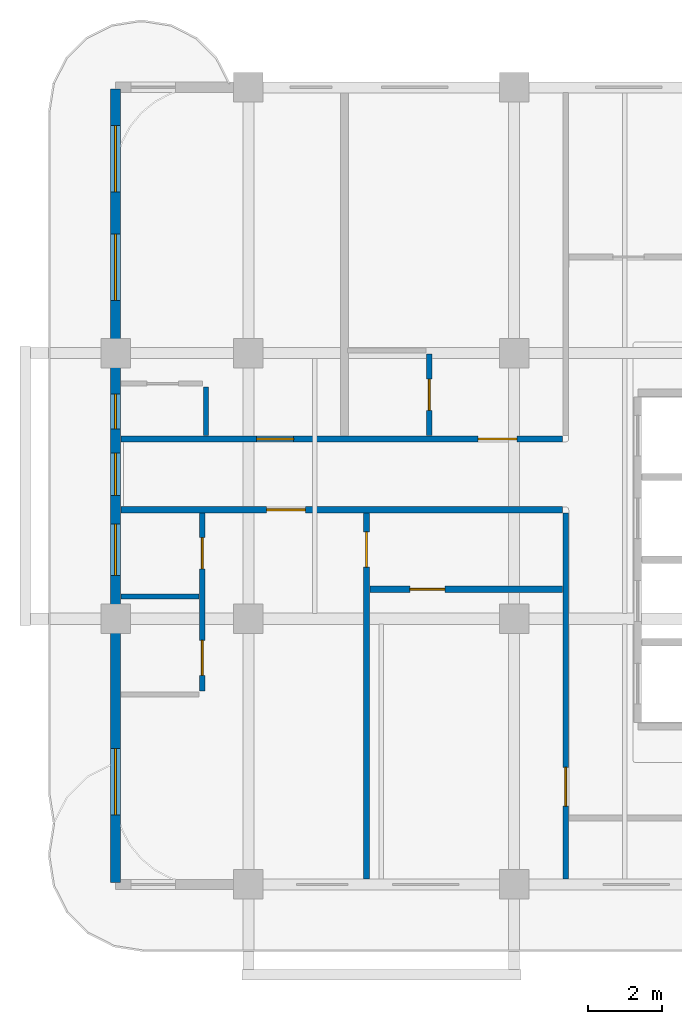
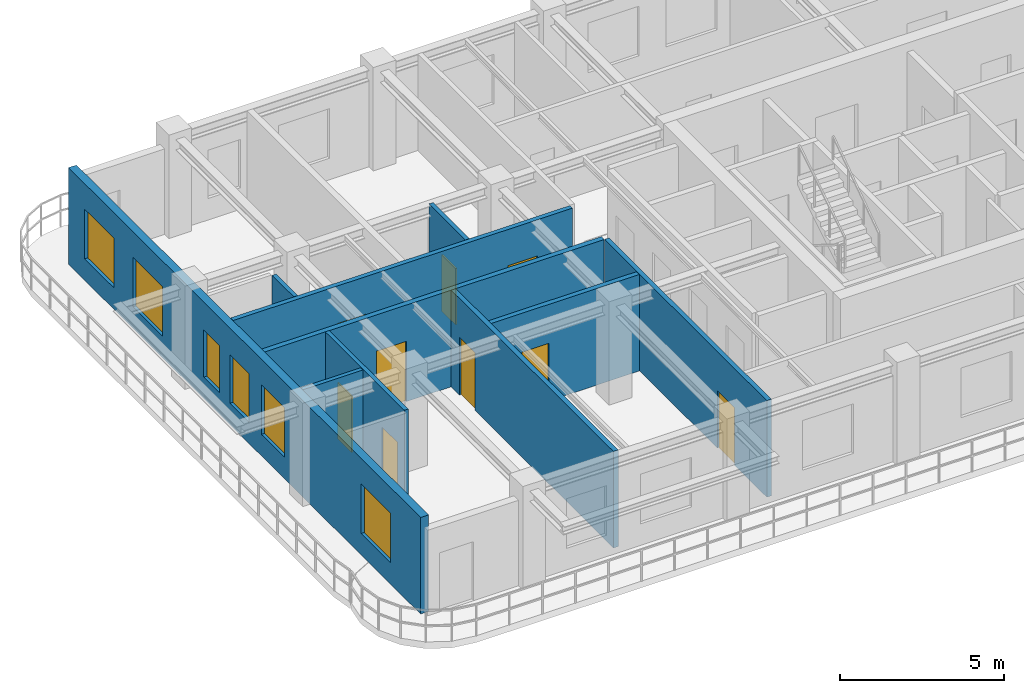
# One storey, part 2 of 7: 10 walls, 9 doors, 6 windows, 15 openings.
"""IFC4 building model written with IfcOpenShell, lengths in metres."""

from ifc_helpers import new_model, si_unit, derived_unit, direction, frame, frame_2d, origin, place, context, subcontext, project, spatial, rectangle, extrude, source, transform, mapped, material, layer, layer_set, type_object, type_shapes, element, fill, save


model = new_model("IFC4")

# Units and contexts
model_context = context("Model", 3, precision=1e-05, world=origin(), true_north=direction((0.0, 1.0)))
body_context = subcontext(model_context, "Body", "Model", "MODEL_VIEW")
ifc_project = project(units=[si_unit("LENGTHUNIT", "METRE"), si_unit("AREAUNIT", "SQUARE_METRE"), si_unit("VOLUMEUNIT", "CUBIC_METRE"), si_unit("PLANEANGLEUNIT", "RADIAN"), si_unit("MASSUNIT", "GRAM", prefix="KILO"), si_unit("THERMODYNAMICTEMPERATUREUNIT", "KELVIN"), si_unit("POWERUNIT", "WATT"), derived_unit("THERMALTRANSMITTANCEUNIT", [(si_unit("POWERUNIT", "WATT"), 1), (si_unit("AREAUNIT", "SQUARE_METRE"), -1), (si_unit("THERMODYNAMICTEMPERATUREUNIT", "KELVIN"), -1)])], contexts=[model_context])

# Site, building, storey
site_placement = place(None, origin())
site = spatial("IfcSite", under=ifc_project, at=site_placement, CompositionType="ELEMENT")
building_placement = place(site_placement, origin())
building = spatial("IfcBuilding", under=site, at=building_placement, Name="Zahravan Archway Hotel and Residences", CompositionType="ELEMENT")
storey_placement = place(building_placement, frame((0.0, 0.0, 259.64990234375)))
storey = spatial("IfcBuildingStorey", under=building, at=storey_placement, Name="L65", CompositionType="ELEMENT", Elevation=259.64990234375)

# Wall, openings, windows
ifc_material_1 = material(Name="Honed Red-Ochre Sandstone & Insulated Block", Category="masonry")
ifc_layer_1 = layer(ifc_material_1, 0.280029296875, Name="Honed Red-Ochre Sandstone & Insulated Block", Category="masonry")
ifc_layer_set_1 = layer_set([ifc_layer_1], Name="Honed Red-Ochre Sandstone & Insulated Block")
wall_type_1 = type_object("IfcWallType", Name="EW-LOG-280", PredefinedType="SOLIDWALL", material=ifc_layer_set_1)
wall_1_placement = place(storey_placement, frame((18.0, 0.050048828125, 0.0), z_axis=(0.0, 0.0, 1.0), x_axis=(0.0, 1.0, 0.0)))
wall_1 = element("IfcWall", 1, at=wall_1_placement, inside=storey, type_object=wall_type_1, Name="L65 Exterior Sandstone Wall WA-W", PredefinedType="SOLIDWALL", context=body_context, shape_type="SweptSolid", body=[
    extrude(rectangle(XDim=21.5, YDim=0.280029296875, at=frame_2d((10.75, 0.0))), origin(), (0.0, 0.0, 1.0), 3.60009765625),
])
opening_1_placement = place(wall_1_placement, frame((1.8310546875, 0.0, 0.800048828125)))
opening_1 = element("IfcOpeningElement", 2, at=opening_1_placement, cuts=wall_1, Name="Opening W-02", PredefinedType="OPENING", context=body_context, shape_type="SweptSolid", body=[
    extrude(rectangle(XDim=1.800048828125, YDim=1.85009765625, at=frame_2d((0.89990234375, 0.925048828125))), frame((0.0, 0.14990234375, 0.0), z_axis=(0.0, -1.0, 0.0), x_axis=(1.0, 0.0, 0.0)), (0.0, 0.0, 1.0), 0.300048828125),
])
opening_2_placement = place(wall_1_placement, frame((8.321044921875, 0.0, 0.800048828125)))
opening_2 = element("IfcOpeningElement", 3, at=opening_2_placement, cuts=wall_1, Name="Opening W-03", PredefinedType="OPENING", context=body_context, shape_type="SweptSolid", body=[
    extrude(rectangle(XDim=1.39990234375, YDim=1.85009765625, at=frame_2d((0.699951171875, 0.925048828125))), frame((0.0, 0.14990234375, 0.0), z_axis=(0.0, -1.0, 0.0), x_axis=(1.0, 0.0, 0.0)), (0.0, 0.0, 1.0), 0.300048828125),
])
opening_3_placement = place(wall_1_placement, frame((10.485107421875, 0.0, 0.800048828125)))
opening_3 = element("IfcOpeningElement", 4, at=opening_3_placement, cuts=wall_1, Name="Opening W-05", PredefinedType="OPENING", context=body_context, shape_type="SweptSolid", body=[
    extrude(rectangle(XDim=1.14990234375, YDim=1.800048828125, at=frame_2d((0.574951171875, 0.89990234375))), frame((0.0, 0.14990234375, 0.0), z_axis=(0.0, -1.0, 0.0), x_axis=(1.0, 0.0, 0.0)), (0.0, 0.0, 1.0), 0.300048828125),
])
opening_4_placement = place(wall_1_placement, frame((12.294921875, 0.0, 0.800048828125)))
opening_4 = element("IfcOpeningElement", 5, at=opening_4_placement, cuts=wall_1, Name="Opening W-04", PredefinedType="OPENING", context=body_context, shape_type="SweptSolid", body=[
    extrude(rectangle(XDim=0.949951171875, YDim=1.75, at=frame_2d((0.47509765625, 0.875))), frame((0.0, 0.14990234375, 0.0), z_axis=(0.0, -1.0, 0.0), x_axis=(1.0, 0.0, 0.0)), (0.0, 0.0, 1.0), 0.300048828125),
])
opening_5_placement = place(wall_1_placement, frame((15.77001953125, 0.0, 0.800048828125)))
opening_5 = element("IfcOpeningElement", 6, at=opening_5_placement, cuts=wall_1, Name="Opening W-02", PredefinedType="OPENING", context=body_context, shape_type="SweptSolid", body=[
    extrude(rectangle(XDim=1.800048828125, YDim=1.85009765625, at=frame_2d((0.89990234375, 0.925048828125))), frame((0.0, 0.14990234375, 0.0), z_axis=(0.0, -1.0, 0.0), x_axis=(1.0, 0.0, 0.0)), (0.0, 0.0, 1.0), 0.300048828125),
])
opening_6_placement = place(wall_1_placement, frame((18.7099609375, 0.0, 0.800048828125)))
opening_6 = element("IfcOpeningElement", 7, at=opening_6_placement, cuts=wall_1, Name="Opening W-02", PredefinedType="OPENING", context=body_context, shape_type="SweptSolid", body=[
    extrude(rectangle(XDim=1.800048828125, YDim=1.85009765625, at=frame_2d((0.89990234375, 0.925048828125))), frame((0.0, 0.14990234375, 0.0), z_axis=(0.0, -1.0, 0.0), x_axis=(1.0, 0.0, 0.0)), (0.0, 0.0, 1.0), 0.300048828125),
])
ifc_material_2 = material(Name="Bronze-Anodized Thermal-Break Aluminium & Low-E Glass", Category="aluminium")
window_type_1 = type_object("IfcWindowType", Name="WIN-TWR-1400", PartitioningType="SINGLE_PANEL", PredefinedType="WINDOW", material=ifc_material_2)
shared_shape_1 = source(origin(), body_context, "Body", "SweptSolid", [
    extrude(rectangle(XDim=1.39990234375, YDim=1.85009765625, at=frame_2d((0.699951171875, 0.925048828125))), frame((0.0, 0.030029296875, 0.0), z_axis=(0.0, -1.0, 0.0), x_axis=(1.0, 0.0, 0.0)), (0.0, 0.0, 1.0), 0.06005859375),
])
type_shapes(window_type_1, [shared_shape_1])
window_1_placement = place(opening_2_placement, origin())
window_1 = element("IfcWindow", 8, at=window_1_placement, inside=storey, type_object=window_type_1, Name="L65 Loggia Window 17", OverallHeight=1.85009765625, OverallWidth=1.39990234375, PartitioningType="SINGLE_PANEL", PredefinedType="WINDOW", context=body_context, shape_type="MappedRepresentation", body=[
    mapped(shared_shape_1, transform((0.0, 0.0, 0.0), scale=1.0)),
])
fill(opening_2, window_1)
window_type_2 = type_object("IfcWindowType", Name="WIN-NAR-950", PartitioningType="SINGLE_PANEL", PredefinedType="WINDOW", material=ifc_material_2)
shared_shape_2 = source(origin(), body_context, "Body", "SweptSolid", [
    extrude(rectangle(XDim=0.949951171875, YDim=1.75, at=frame_2d((0.47509765625, 0.875))), frame((0.0, 0.030029296875, 0.0), z_axis=(0.0, -1.0, 0.0), x_axis=(1.0, 0.0, 0.0)), (0.0, 0.0, 1.0), 0.06005859375),
])
type_shapes(window_type_2, [shared_shape_2])
window_2_placement = place(opening_4_placement, origin())
window_2 = element("IfcWindow", 9, at=window_2_placement, inside=storey, type_object=window_type_2, Name="L65 Loggia Window 19", OverallHeight=1.75, OverallWidth=0.949951171875, PartitioningType="SINGLE_PANEL", PredefinedType="WINDOW", context=body_context, shape_type="MappedRepresentation", body=[
    mapped(shared_shape_2, transform((0.0, 0.0, 0.0), scale=1.0)),
])
fill(opening_4, window_2)
window_type_3 = type_object("IfcWindowType", Name="WIN-TWR-1800", PartitioningType="DOUBLE_PANEL_VERTICAL", PredefinedType="WINDOW", material=ifc_material_2)
shared_shape_3 = source(origin(), body_context, "Body", "SweptSolid", [
    extrude(rectangle(XDim=1.800048828125, YDim=1.85009765625, at=frame_2d((0.89990234375, 0.925048828125))), frame((0.0, 0.030029296875, 0.0), z_axis=(0.0, -1.0, 0.0), x_axis=(1.0, 0.0, 0.0)), (0.0, 0.0, 1.0), 0.06005859375),
])
type_shapes(window_type_3, [shared_shape_3])
window_3_placement = place(opening_1_placement, origin())
window_3 = element("IfcWindow", 10, at=window_3_placement, inside=storey, type_object=window_type_3, Name="L65 Loggia Window 16", OverallHeight=1.85009765625, OverallWidth=1.800048828125, PartitioningType="DOUBLE_PANEL_VERTICAL", PredefinedType="WINDOW", context=body_context, shape_type="MappedRepresentation", body=[
    mapped(shared_shape_3, transform((0.0, 0.0, 0.0), scale=1.0)),
])
fill(opening_1, window_3)
window_4_placement = place(opening_5_placement, origin())
window_4 = element("IfcWindow", 11, at=window_4_placement, inside=storey, type_object=window_type_3, Name="L65 Loggia Window 20", OverallHeight=1.85009765625, OverallWidth=1.800048828125, PartitioningType="DOUBLE_PANEL_VERTICAL", PredefinedType="WINDOW", context=body_context, shape_type="MappedRepresentation", body=[
    mapped(shared_shape_3, transform((0.0, 0.0, 0.0), scale=1.0)),
])
fill(opening_5, window_4)
window_5_placement = place(opening_6_placement, origin())
window_5 = element("IfcWindow", 12, at=window_5_placement, inside=storey, type_object=window_type_3, Name="L65 Loggia Window 21", OverallHeight=1.85009765625, OverallWidth=1.800048828125, PartitioningType="DOUBLE_PANEL_VERTICAL", PredefinedType="WINDOW", context=body_context, shape_type="MappedRepresentation", body=[
    mapped(shared_shape_3, transform((0.0, 0.0, 0.0), scale=1.0)),
])
fill(opening_6, window_5)
window_type_4 = type_object("IfcWindowType", Name="WIN-TWR-1150", PartitioningType="SINGLE_PANEL", PredefinedType="WINDOW", material=ifc_material_2)
shared_shape_4 = source(origin(), body_context, "Body", "SweptSolid", [
    extrude(rectangle(XDim=1.14990234375, YDim=1.800048828125, at=frame_2d((0.574951171875, 0.89990234375))), frame((0.0, 0.030029296875, 0.0), z_axis=(0.0, -1.0, 0.0), x_axis=(1.0, 0.0, 0.0)), (0.0, 0.0, 1.0), 0.06005859375),
])
type_shapes(window_type_4, [shared_shape_4])
window_6_placement = place(opening_3_placement, origin())
window_6 = element("IfcWindow", 13, at=window_6_placement, inside=storey, type_object=window_type_4, Name="L65 Loggia Window 18", OverallHeight=1.800048828125, OverallWidth=1.14990234375, PartitioningType="SINGLE_PANEL", PredefinedType="WINDOW", context=body_context, shape_type="MappedRepresentation", body=[
    mapped(shared_shape_4, transform((0.0, 0.0, 0.0), scale=1.0)),
])
fill(opening_3, window_6)

# Wall, openings, doors
ifc_material_3 = material(Name="Fire-Rated Gypsum & Concrete Block", Category="concrete")
ifc_layer_2 = layer(ifc_material_3, 0.159912109375, Name="Fire-Rated Gypsum & Concrete Block", Category="concrete")
ifc_layer_set_2 = layer_set([ifc_layer_2], Name="Fire-Rated Gypsum & Concrete Block")
wall_type_2 = type_object("IfcWallType", Name="PW-CORR-160", PredefinedType="PARTITIONING", material=ifc_layer_set_2)
wall_2_placement = place(storey_placement, frame((18.14794921875, 12.070068359375, 0.0), z_axis=(0.0, 0.0, 1.0), x_axis=(1.0, 0.0, 0.0)))
wall_2 = element("IfcWall", 14, at=wall_2_placement, inside=storey, type_object=wall_type_2, Name="L65 Partition WA-CN", PredefinedType="PARTITIONING", context=body_context, shape_type="SweptSolid", body=[
    extrude(rectangle(XDim=11.962158203125, YDim=0.159912109375, at=frame_2d((5.98095703125, 0.0))), origin(), (0.0, 0.0, 1.0), 3.60009765625),
])
opening_7_placement = place(wall_2_placement, frame((3.677001953125, 0.0, 0.0)))
opening_7 = element("IfcOpeningElement", 15, at=opening_7_placement, cuts=wall_2, Name="Opening D-U2", PredefinedType="OPENING", context=body_context, shape_type="SweptSolid", body=[
    extrude(rectangle(XDim=1.0, YDim=2.199951171875, at=frame_2d((0.5, 1.10009765625))), frame((0.0, 0.08984375, 0.0), z_axis=(0.0, -1.0, 0.0), x_axis=(1.0, 0.0, 0.0)), (0.0, 0.0, 1.0), 0.179931640625),
])
opening_8_placement = place(wall_2_placement, frame((9.677001953125, 0.0, 0.0)))
opening_8 = element("IfcOpeningElement", 16, at=opening_8_placement, cuts=wall_2, Name="Opening D-U1", PredefinedType="OPENING", context=body_context, shape_type="SweptSolid", body=[
    extrude(rectangle(XDim=1.050048828125, YDim=2.25, at=frame_2d((0.52490234375, 1.125))), frame((0.0, 0.08984375, 0.0), z_axis=(0.0, -1.0, 0.0), x_axis=(1.0, 0.0, 0.0)), (0.0, 0.0, 1.0), 0.179931640625),
])
ifc_material_4 = material(Name="Hardwood Veneer Timber", Category="wood")
door_type_1 = type_object("IfcDoorType", Name="ID-UNIT-1050", OperationType="NOTDEFINED", PredefinedType="DOOR", material=ifc_material_4)
shared_shape_5 = source(origin(), body_context, "Body", "SweptSolid", [
    extrude(rectangle(XDim=1.050048828125, YDim=2.25, at=frame_2d((0.52490234375, 1.125))), frame((0.0, 0.02490234375, 0.0), z_axis=(0.0, -1.0, 0.0), x_axis=(1.0, 0.0, 0.0)), (0.0, 0.0, 1.0), 0.050048828125),
])
type_shapes(door_type_1, [shared_shape_5])
door_1_placement = place(opening_8_placement, origin())
door_1 = element("IfcDoor", 17, at=door_1_placement, inside=storey, type_object=door_type_1, Name="L65 Hotel Guestroom 88 Entrance Door", OperationType="SINGLE_SWING_RIGHT", OverallHeight=2.25, OverallWidth=1.050048828125, PredefinedType="DOOR", context=body_context, shape_type="MappedRepresentation", body=[
    mapped(shared_shape_5, transform((0.0, 0.0, 0.0), scale=1.0)),
])
fill(opening_8, door_1)
door_type_2 = type_object("IfcDoorType", Name="ID-UNIT-1000", OperationType="NOTDEFINED", PredefinedType="DOOR", material=ifc_material_4)
shared_shape_6 = source(origin(), body_context, "Body", "SweptSolid", [
    extrude(rectangle(XDim=1.0, YDim=2.199951171875, at=frame_2d((0.5, 1.10009765625))), frame((0.0, 0.02490234375, 0.0), z_axis=(0.0, -1.0, 0.0), x_axis=(1.0, 0.0, 0.0)), (0.0, 0.0, 1.0), 0.050048828125),
])
type_shapes(door_type_2, [shared_shape_6])
door_2_placement = place(opening_7_placement, origin())
door_2 = element("IfcDoor", 18, at=door_2_placement, inside=storey, type_object=door_type_2, Name="L65 Hotel Guestroom 87 Entrance Door", OperationType="SINGLE_SWING_RIGHT", OverallHeight=2.199951171875, OverallWidth=1.0, PredefinedType="DOOR", context=body_context, shape_type="MappedRepresentation", body=[
    mapped(shared_shape_6, transform((0.0, 0.0, 0.0), scale=1.0)),
])
fill(opening_7, door_2)

# Wall, opening, door
wall_3_placement = place(storey_placement, frame((30.199951171875, 0.14794921875, 0.0), z_axis=(0.0, 0.0, 1.0), x_axis=(0.0, 1.0, 0.0)))
wall_3 = element("IfcWall", 19, at=wall_3_placement, inside=storey, type_object=wall_type_2, Name="L65 Partition WA-SRW", PredefinedType="PARTITIONING", context=body_context, shape_type="SweptSolid", body=[
    extrude(rectangle(XDim=9.912109375, YDim=0.159912109375, at=frame_2d((4.9560546875, 0.0))), origin(), (0.0, 0.0, 1.0), 3.60009765625),
])
opening_9_placement = place(wall_3_placement, frame((1.97705078125, 0.0, 0.0)))
opening_9 = element("IfcOpeningElement", 20, at=opening_9_placement, cuts=wall_3, Name="Opening FD-L2", PredefinedType="OPENING", context=body_context, shape_type="SweptSolid", body=[
    extrude(rectangle(XDim=1.050048828125, YDim=2.14990234375, at=frame_2d((0.52490234375, 1.074951171875))), frame((0.0, 0.08984375, 0.0), z_axis=(0.0, -1.0, 0.0), x_axis=(1.0, 0.0, 0.0)), (0.0, 0.0, 1.0), 0.179931640625),
])
ifc_material_5 = material(Name="Fire-Rated Painted Steel", Category="steel")
door_type_3 = type_object("IfcDoorType", Name="FD-LOBBY-1100", OperationType="NOTDEFINED", PredefinedType="DOOR", material=ifc_material_5)
shared_shape_7 = source(origin(), body_context, "Body", "SweptSolid", [
    extrude(rectangle(XDim=1.050048828125, YDim=2.14990234375, at=frame_2d((0.52490234375, 1.074951171875))), frame((0.0, 0.02490234375, 0.0), z_axis=(0.0, -1.0, 0.0), x_axis=(1.0, 0.0, 0.0)), (0.0, 0.0, 1.0), 0.050048828125),
])
type_shapes(door_type_3, [shared_shape_7])
door_3_placement = place(opening_9_placement, origin())
door_3 = element("IfcDoor", 21, at=door_3_placement, inside=storey, type_object=door_type_3, Name="L65 South Riser Corridor Door", OperationType="SINGLE_SWING_LEFT", OverallHeight=2.14990234375, OverallWidth=1.050048828125, PredefinedType="DOOR", context=body_context, shape_type="MappedRepresentation", body=[
    mapped(shared_shape_7, transform((0.0, 0.0, 0.0), scale=1.0)),
])
fill(opening_9, door_3)

ifc_layer_3 = layer(ifc_material_3, 0.179931640625, Name="Fire-Rated Gypsum & Concrete Block", Category="concrete")
ifc_layer_set_3 = layer_set([ifc_layer_3], Name="Fire-Rated Gypsum & Concrete Block")
wall_type_3 = type_object("IfcWallType", Name="PW-CORR-180", PredefinedType="PARTITIONING", material=ifc_layer_set_3)
wall_4_placement = place(storey_placement, frame((18.14794921875, 10.14990234375, 0.0), z_axis=(0.0, 0.0, 1.0), x_axis=(1.0, 0.0, 0.0)))
wall_4 = element("IfcWall", 22, at=wall_4_placement, inside=storey, type_object=wall_type_3, Name="L65 Partition WA-CS", PredefinedType="PARTITIONING", context=body_context, shape_type="SweptSolid", body=[
    extrude(rectangle(XDim=11.962158203125, YDim=0.179931640625, at=frame_2d((5.98095703125, 0.0))), origin(), (0.0, 0.0, 1.0), 3.60009765625),
])
opening_10_placement = place(wall_4_placement, frame((3.94189453125, 0.0, 0.0)))
opening_10 = element("IfcOpeningElement", 23, at=opening_10_placement, cuts=wall_4, Name="Opening D-U1", PredefinedType="OPENING", context=body_context, shape_type="SweptSolid", body=[
    extrude(rectangle(XDim=1.050048828125, YDim=2.25, at=frame_2d((0.52490234375, 1.125))), frame((0.0, 0.10009765625, 0.0), z_axis=(0.0, -1.0, 0.0), x_axis=(1.0, 0.0, 0.0)), (0.0, 0.0, 1.0), 0.199951171875),
])
door_4_placement = place(opening_10_placement, origin())
door_4 = element("IfcDoor", 24, at=door_4_placement, inside=storey, type_object=door_type_1, Name="L65 Flat S1 Entrance Door", OperationType="SINGLE_SWING_RIGHT", OverallHeight=2.25, OverallWidth=1.050048828125, PredefinedType="DOOR", context=body_context, shape_type="MappedRepresentation", body=[
    mapped(shared_shape_5, transform((0.0, 0.0, 0.0), scale=1.0)),
])
fill(opening_10, door_4)

ifc_material_6 = material(Name="Acoustic Stud Partition")
ifc_layer_4 = layer(ifc_material_6, 0.169921875, Name="Acoustic Stud Partition")
ifc_layer_set_4 = layer_set([ifc_layer_4], Name="Acoustic Stud Partition")
wall_type_4 = type_object("IfcWallType", Name="PW-UNIT-170", PredefinedType="PARTITIONING", material=ifc_layer_set_4)
wall_5_placement = place(storey_placement, frame((24.800048828125, 0.14794921875, 0.0), z_axis=(0.0, 0.0, 1.0), x_axis=(0.0, 1.0, 0.0)))
wall_5 = element("IfcWall", 25, at=wall_5_placement, inside=storey, type_object=wall_type_4, Name="L65 Partition FL-S1-SP", PredefinedType="PARTITIONING", context=body_context, shape_type="SweptSolid", body=[
    extrude(rectangle(XDim=9.912109375, YDim=0.169921875, at=frame_2d((4.9560546875, 0.0))), origin(), (0.0, 0.0, 1.0), 3.60009765625),
])
opening_11_placement = place(wall_5_placement, frame((8.451904296875, 0.0, 0.0)))
opening_11 = element("IfcOpeningElement", 26, at=opening_11_placement, cuts=wall_5, Name="Opening D-I1", PredefinedType="OPENING", context=body_context, shape_type="SweptSolid", body=[
    extrude(rectangle(XDim=0.949951171875, YDim=2.14990234375, at=frame_2d((0.47509765625, 1.074951171875))), frame((0.0, 0.094970703125, 0.0), z_axis=(0.0, -1.0, 0.0), x_axis=(1.0, 0.0, 0.0)), (0.0, 0.0, 1.0), 0.18994140625),
])
door_type_4 = type_object("IfcDoorType", Name="ID-INT-950", OperationType="NOTDEFINED", PredefinedType="DOOR", material=ifc_material_4)
shared_shape_8 = source(origin(), body_context, "Body", "SweptSolid", [
    extrude(rectangle(XDim=0.949951171875, YDim=2.14990234375, at=frame_2d((0.47509765625, 1.074951171875))), frame((0.0, 0.02490234375, 0.0), z_axis=(0.0, -1.0, 0.0), x_axis=(1.0, 0.0, 0.0)), (0.0, 0.0, 1.0), 0.050048828125),
])
type_shapes(door_type_4, [shared_shape_8])
door_5_placement = place(opening_11_placement, origin())
door_5 = element("IfcDoor", 27, at=door_5_placement, inside=storey, type_object=door_type_4, Name="L65 Flat S1 Bedroom Hall Door", OperationType="SINGLE_SWING_LEFT", OverallHeight=2.14990234375, OverallWidth=0.949951171875, PredefinedType="DOOR", context=body_context, shape_type="MappedRepresentation", body=[
    mapped(shared_shape_8, transform((0.0, 0.0, 0.0), scale=1.0)),
])
fill(opening_11, door_5)

wall_6_placement = place(storey_placement, frame((24.889892578125, 8.0, 0.0), z_axis=(0.0, 0.0, 1.0), x_axis=(1.0, 0.0, 0.0)))
wall_6 = element("IfcWall", 28, at=wall_6_placement, inside=storey, type_object=wall_type_4, Name="L65 Partition FL-S1-GH", PredefinedType="PARTITIONING", context=body_context, shape_type="SweptSolid", body=[
    extrude(rectangle(XDim=5.22021484375, YDim=0.169921875, at=frame_2d((2.610107421875, 0.0))), origin(), (0.0, 0.0, 1.0), 3.60009765625),
])
opening_12_placement = place(wall_6_placement, frame((1.0849609375, 0.0, 0.0)))
opening_12 = element("IfcOpeningElement", 29, at=opening_12_placement, cuts=wall_6, Name="Opening D-I1", PredefinedType="OPENING", context=body_context, shape_type="SweptSolid", body=[
    extrude(rectangle(XDim=0.949951171875, YDim=2.14990234375, at=frame_2d((0.47509765625, 1.074951171875))), frame((0.0, 0.094970703125, 0.0), z_axis=(0.0, -1.0, 0.0), x_axis=(1.0, 0.0, 0.0)), (0.0, 0.0, 1.0), 0.18994140625),
])
door_6_placement = place(opening_12_placement, origin())
door_6 = element("IfcDoor", 30, at=door_6_placement, inside=storey, type_object=door_type_4, Name="L65 Flat S1 Bedroom 1 Door", OperationType="SINGLE_SWING_RIGHT", OverallHeight=2.14990234375, OverallWidth=0.949951171875, PredefinedType="DOOR", context=body_context, shape_type="MappedRepresentation", body=[
    mapped(shared_shape_8, transform((0.0, 0.0, 0.0), scale=1.0)),
])
fill(opening_12, door_6)

# Wall, openings, doors
ifc_material_7 = material(Name="Moisture-Resistant Blockwork", Category="masonry")
ifc_layer_5 = layer(ifc_material_7, 0.139892578125, Name="Moisture-Resistant Blockwork", Category="masonry")
ifc_layer_set_5 = layer_set([ifc_layer_5], Name="Moisture-Resistant Blockwork")
wall_type_5 = type_object("IfcWallType", Name="PW-WET-140", PredefinedType="PARTITIONING", material=ifc_layer_set_5)
wall_7_placement = place(storey_placement, frame((20.35009765625, 5.239990234375, 0.0), z_axis=(0.0, 0.0, 1.0), x_axis=(0.0, 1.0, 0.0)))
wall_7 = element("IfcWall", 31, at=wall_7_placement, inside=storey, type_object=wall_type_5, Name="L65 Partition FL-S1-BV", PredefinedType="PARTITIONING", context=body_context, shape_type="SweptSolid", body=[
    extrude(rectangle(XDim=4.820068359375, YDim=0.139892578125, at=frame_2d((2.41015625, 0.0))), origin(), (0.0, 0.0, 1.0), 3.60009765625),
])
opening_13_placement = place(wall_7_placement, frame((0.422119140625, 0.0, 0.0)))
opening_13 = element("IfcOpeningElement", 32, at=opening_13_placement, cuts=wall_7, Name="Opening D-I1", PredefinedType="OPENING", context=body_context, shape_type="SweptSolid", body=[
    extrude(rectangle(XDim=0.949951171875, YDim=2.14990234375, at=frame_2d((0.47509765625, 1.074951171875))), frame((0.0, 0.080078125, 0.0), z_axis=(0.0, -1.0, 0.0), x_axis=(1.0, 0.0, 0.0)), (0.0, 0.0, 1.0), 0.159912109375),
])
opening_14_placement = place(wall_7_placement, frame((3.31005859375, 0.0, 0.0)))
opening_14 = element("IfcOpeningElement", 33, at=opening_14_placement, cuts=wall_7, Name="Opening D-B1", PredefinedType="OPENING", context=body_context, shape_type="SweptSolid", body=[
    extrude(rectangle(XDim=0.85009765625, YDim=2.10009765625, at=frame_2d((0.425048828125, 1.050048828125))), frame((0.0, 0.080078125, 0.0), z_axis=(0.0, -1.0, 0.0), x_axis=(1.0, 0.0, 0.0)), (0.0, 0.0, 1.0), 0.159912109375),
])
door_type_5 = type_object("IfcDoorType", Name="ID-BATH-850", OperationType="NOTDEFINED", PredefinedType="DOOR", material=ifc_material_4)
shared_shape_9 = source(origin(), body_context, "Body", "SweptSolid", [
    extrude(rectangle(XDim=0.85009765625, YDim=2.10009765625, at=frame_2d((0.425048828125, 1.050048828125))), frame((0.0, 0.02490234375, 0.0), z_axis=(0.0, -1.0, 0.0), x_axis=(1.0, 0.0, 0.0)), (0.0, 0.0, 1.0), 0.050048828125),
])
type_shapes(door_type_5, [shared_shape_9])
door_7_placement = place(opening_14_placement, origin())
door_7 = element("IfcDoor", 34, at=door_7_placement, inside=storey, type_object=door_type_5, Name="L65 Flat S1 Bathroom Door", OperationType="SINGLE_SWING_LEFT", OverallHeight=2.10009765625, OverallWidth=0.85009765625, PredefinedType="DOOR", context=body_context, shape_type="MappedRepresentation", body=[
    mapped(shared_shape_9, transform((0.0, 0.0, 0.0), scale=1.0)),
])
fill(opening_14, door_7)
door_8_placement = place(opening_13_placement, origin())
door_8 = element("IfcDoor", 35, at=door_8_placement, inside=storey, type_object=door_type_4, Name="L65 Flat S1 Kitchen Door", OperationType="SINGLE_SWING_RIGHT", OverallHeight=2.14990234375, OverallWidth=0.949951171875, PredefinedType="DOOR", context=body_context, shape_type="MappedRepresentation", body=[
    mapped(shared_shape_8, transform((0.0, 0.0, 0.0), scale=1.0)),
])
fill(opening_13, door_8)

# Walls
wall_8_placement = place(storey_placement, frame((18.14794921875, 7.800048828125, 0.0), z_axis=(0.0, 0.0, 1.0), x_axis=(1.0, 0.0, 0.0)))
element("IfcWall", 36, at=wall_8_placement, inside=storey, type_object=wall_type_5, Name="L65 Partition FL-S1-BM", PredefinedType="PARTITIONING", context=body_context, shape_type="SweptSolid", body=[
    extrude(rectangle(XDim=2.112060546875, YDim=0.139892578125, at=frame_2d((1.05615234375, 0.0))), origin(), (0.0, 0.0, 1.0), 3.60009765625),
])
wall_9_placement = place(storey_placement, frame((20.449951171875, 12.159912109375, 0.0), z_axis=(0.0, 0.0, 1.0), x_axis=(0.0, 1.0, 0.0)))
element("IfcWall", 37, at=wall_9_placement, inside=storey, type_object=wall_type_5, Name="L65 Partition HKB-V87", PredefinedType="PARTITIONING", context=body_context, shape_type="SweptSolid", body=[
    extrude(rectangle(XDim=1.320068359375, YDim=0.139892578125, at=frame_2d((0.66015625, 0.0))), origin(), (0.0, 0.0, 1.0), 3.60009765625),
])

# Wall, opening, door
wall_10_placement = place(storey_placement, frame((26.5, 12.159912109375, 0.0), z_axis=(0.0, 0.0, 1.0), x_axis=(0.0, 1.0, 0.0)))
wall_10 = element("IfcWall", 38, at=wall_10_placement, inside=storey, type_object=wall_type_5, Name="L65 Partition HKB-V88", PredefinedType="PARTITIONING", context=body_context, shape_type="SweptSolid", body=[
    extrude(rectangle(XDim=2.219970703125, YDim=0.139892578125, at=frame_2d((1.10986328125, 0.0))), origin(), (0.0, 0.0, 1.0), 3.60009765625),
])
opening_15_placement = place(wall_10_placement, frame((0.68505859375, 0.0, 0.0)))
opening_15 = element("IfcOpeningElement", 39, at=opening_15_placement, cuts=wall_10, Name="Opening D-B1", PredefinedType="OPENING", context=body_context, shape_type="SweptSolid", body=[
    extrude(rectangle(XDim=0.85009765625, YDim=2.10009765625, at=frame_2d((0.425048828125, 1.050048828125))), frame((0.0, 0.080078125, 0.0), z_axis=(0.0, -1.0, 0.0), x_axis=(1.0, 0.0, 0.0)), (0.0, 0.0, 1.0), 0.159912109375),
])
door_9_placement = place(opening_15_placement, origin())
door_9 = element("IfcDoor", 40, at=door_9_placement, inside=storey, type_object=door_type_5, Name="L65 Guestroom 88 En-Suite Door", OperationType="SINGLE_SWING_LEFT", OverallHeight=2.10009765625, OverallWidth=0.85009765625, PredefinedType="DOOR", context=body_context, shape_type="MappedRepresentation", body=[
    mapped(shared_shape_9, transform((0.0, 0.0, 0.0), scale=1.0)),
])
fill(opening_15, door_9)

save(model, "model.ifc")
